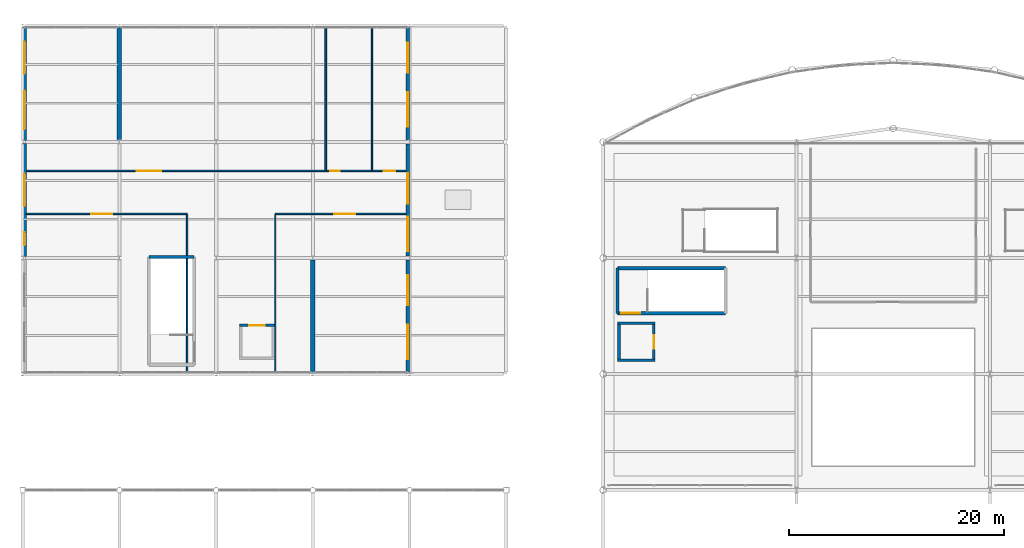
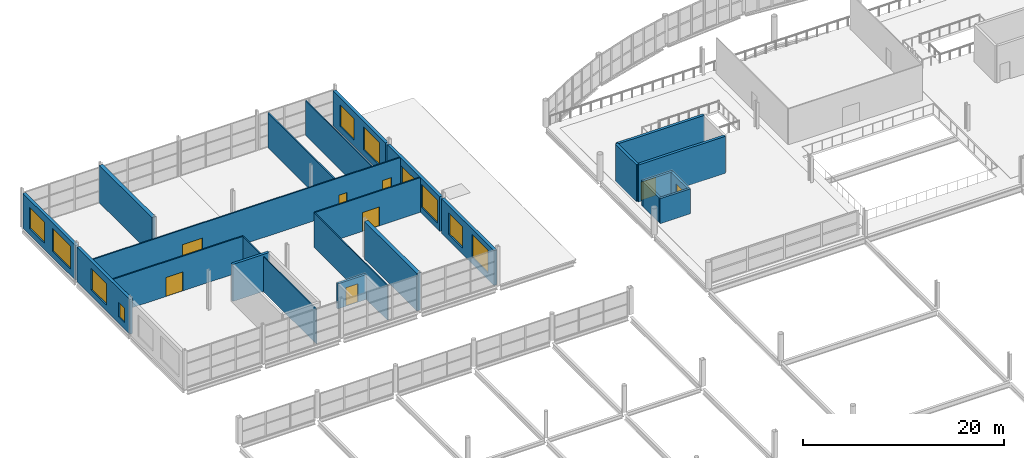
# One storey, part 122 of 134: 23 walls, 10 windows, 8 doors, 18 openings.
"""IFC4 building model written with IfcOpenShell, lengths in metres."""

from ifc_helpers import new_model, si_unit, direction, frame, frame_2d, origin, place, context, subcontext, project, spatial, rectangle, extrude, material, layer, layer_set, type_object, element, fill, save


model = new_model("IFC4")

# Units and contexts
model_context = context("Model", 3, precision=1e-05, world=origin(), true_north=direction((0.0, 1.0)))
body_context = subcontext(model_context, "Body", "Model", "MODEL_VIEW")
ifc_project = project(units=[si_unit("LENGTHUNIT", "METRE"), si_unit("AREAUNIT", "SQUARE_METRE"), si_unit("VOLUMEUNIT", "CUBIC_METRE"), si_unit("PLANEANGLEUNIT", "RADIAN"), si_unit("MASSUNIT", "GRAM", prefix="KILO")], contexts=[model_context])

# Site, building, storey
site_placement = place(None, origin())
site = spatial("IfcSite", under=ifc_project, at=site_placement, CompositionType="ELEMENT")
building_placement = place(site_placement, origin())
building = spatial("IfcBuilding", under=site, at=building_placement, Name="Tamarisk Ironworks Central Station", CompositionType="ELEMENT")
storey_placement = place(building_placement, frame((0.0, 0.0, 12.60009765625)))
storey = spatial("IfcBuildingStorey", under=building, at=storey_placement, Name="L02", CompositionType="ELEMENT", Elevation=12.60009765625)

# Wall, openings, windows
ifc_material_1 = material(Name="Clay facing brickwork and mortar", Category="masonry")
ifc_layer_1 = layer(ifc_material_1, 0.340087890625)
ifc_layer_set_1 = layer_set([ifc_layer_1], Name="Clay facing brickwork and mortar")
wall_type_1 = type_object("IfcWallType", Name="WL-BR340", PredefinedType="STANDARD", material=ifc_layer_set_1)
wall_1_placement = place(storey_placement, frame((35.830078125, 90.14794921875, 0.0), z_axis=(0.0, 0.0, 1.0), x_axis=(0.0, 1.0, 0.0)))
wall_1 = element("IfcWall", 1, at=wall_1_placement, inside=storey, type_object=wall_type_1, Name="L02 brick facade wall 0037", PredefinedType="STANDARD", context=body_context, shape_type="SweptSolid", body=[
    extrude(rectangle(XDim=10.47412109375, YDim=0.340087890625, at=frame_2d((5.237060546875, 0.0))), origin(), (0.0, 0.0, 1.0), 4.219970703125),
])
opening_1_placement = place(wall_1_placement, frame((1.218994140625, 0.0, 0.75)))
opening_1 = element("IfcOpeningElement", 2, at=opening_1_placement, cuts=wall_1, Name="Opening W02", PredefinedType="OPENING", context=body_context, shape_type="SweptSolid", body=[
    extrude(rectangle(XDim=3.199951171875, YDim=2.800048828125, at=frame_2d((1.60009765625, 1.39990234375))), frame((0.0, 0.18212890625, 0.0), z_axis=(0.0, -1.0, 0.0), x_axis=(1.0, 0.0, 0.0)), (0.0, 0.0, 1.0), 0.364013671875),
])
opening_2_placement = place(wall_1_placement, frame((6.256103515625, 0.0, 0.75)))
opening_2 = element("IfcOpeningElement", 3, at=opening_2_placement, cuts=wall_1, Name="Opening W04", PredefinedType="OPENING", context=body_context, shape_type="SweptSolid", body=[
    extrude(rectangle(XDim=2.800048828125, YDim=2.60009765625, at=frame_2d((1.39990234375, 1.300048828125))), frame((0.0, 0.18212890625, 0.0), z_axis=(0.0, -1.0, 0.0), x_axis=(1.0, 0.0, 0.0)), (0.0, 0.0, 1.0), 0.364013671875),
])
ifc_material_2 = material(Name="Laminated solar-control low-E glass", Category="glass")
window_type_1 = type_object("IfcWindowType", Name="WN-02", PartitioningType="SINGLE_PANEL", PredefinedType="WINDOW", material=ifc_material_2)
window_1_placement = place(opening_1_placement, origin())
window_1 = element("IfcWindow", 4, at=window_1_placement, inside=storey, type_object=window_type_1, Name="L02 exterior window 0044", OverallHeight=2.800048828125, OverallWidth=3.199951171875, PartitioningType="DOUBLE_PANEL_VERTICAL", PredefinedType="WINDOW", context=body_context, shape_type="SweptSolid", body=[
    extrude(rectangle(XDim=3.199951171875, YDim=2.800048828125, at=frame_2d((1.60009765625, 1.39990234375))), frame((0.0, 0.030029296875, 0.0), z_axis=(0.0, -1.0, 0.0), x_axis=(1.0, 0.0, 0.0)), (0.0, 0.0, 1.0), 0.06005859375),
])
fill(opening_1, window_1)
window_type_2 = type_object("IfcWindowType", Name="WN-04", PartitioningType="SINGLE_PANEL", PredefinedType="WINDOW", material=ifc_material_2)
window_2_placement = place(opening_2_placement, origin())
window_2 = element("IfcWindow", 5, at=window_2_placement, inside=storey, type_object=window_type_2, Name="L02 exterior window 0045", OverallHeight=2.60009765625, OverallWidth=2.800048828125, PartitioningType="DOUBLE_PANEL_VERTICAL", PredefinedType="WINDOW", context=body_context, shape_type="SweptSolid", body=[
    extrude(rectangle(XDim=2.800048828125, YDim=2.60009765625, at=frame_2d((1.39990234375, 1.300048828125))), frame((0.0, 0.030029296875, 0.0), z_axis=(0.0, -1.0, 0.0), x_axis=(1.0, 0.0, 0.0)), (0.0, 0.0, 1.0), 0.06005859375),
])
fill(opening_2, window_2)

wall_2_placement = place(storey_placement, frame((0.169921875, 100.947998046875, 0.0), z_axis=(0.0, 0.0, 1.0), x_axis=(0.0, 1.0, 0.0)))
wall_2 = element("IfcWall", 6, at=wall_2_placement, inside=storey, type_object=wall_type_1, Name="L02 brick facade wall 0038", PredefinedType="STANDARD", context=body_context, shape_type="SweptSolid", body=[
    extrude(rectangle(XDim=10.50390625, YDim=0.340087890625, at=frame_2d((5.251953125, 0.0))), origin(), (0.0, 0.0, 1.0), 4.219970703125),
])
opening_3_placement = place(wall_2_placement, frame((1.02587890625, 0.0, 0.75)))
opening_3 = element("IfcOpeningElement", 7, at=opening_3_placement, cuts=wall_2, Name="Opening W13", PredefinedType="OPENING", context=body_context, shape_type="SweptSolid", body=[
    extrude(rectangle(XDim=1.199951171875, YDim=1.800048828125, at=frame_2d((0.60009765625, 0.89990234375))), frame((0.0, 0.18212890625, 0.0), z_axis=(0.0, -1.0, 0.0), x_axis=(1.0, 0.0, 0.0)), (0.0, 0.0, 1.0), 0.364013671875),
])
opening_4_placement = place(wall_2_placement, frame((4.677978515625, 0.0, 0.75)))
opening_4 = element("IfcOpeningElement", 8, at=opening_4_placement, cuts=wall_2, Name="Opening W03", PredefinedType="OPENING", context=body_context, shape_type="SweptSolid", body=[
    extrude(rectangle(XDim=3.0, YDim=2.60009765625, at=frame_2d((1.5, 1.300048828125))), frame((0.0, 0.18212890625, 0.0), z_axis=(0.0, -1.0, 0.0), x_axis=(1.0, 0.0, 0.0)), (0.0, 0.0, 1.0), 0.364013671875),
])
window_type_3 = type_object("IfcWindowType", Name="WN-03", PartitioningType="SINGLE_PANEL", PredefinedType="WINDOW", material=ifc_material_2)
window_3_placement = place(opening_4_placement, origin())
window_3 = element("IfcWindow", 9, at=window_3_placement, inside=storey, type_object=window_type_3, Name="L02 exterior window 0047", OverallHeight=2.60009765625, OverallWidth=3.0, PartitioningType="DOUBLE_PANEL_VERTICAL", PredefinedType="WINDOW", context=body_context, shape_type="SweptSolid", body=[
    extrude(rectangle(XDim=3.0, YDim=2.60009765625, at=frame_2d((1.5, 1.300048828125))), frame((0.0, 0.030029296875, 0.0), z_axis=(0.0, -1.0, 0.0), x_axis=(1.0, 0.0, 0.0)), (0.0, 0.0, 1.0), 0.06005859375),
])
fill(opening_4, window_3)
window_type_4 = type_object("IfcWindowType", Name="WN-13", PartitioningType="SINGLE_PANEL", PredefinedType="WINDOW", material=ifc_material_2)
window_4_placement = place(opening_3_placement, origin())
window_4 = element("IfcWindow", 10, at=window_4_placement, inside=storey, type_object=window_type_4, Name="L02 exterior window 0046", OverallHeight=1.800048828125, OverallWidth=1.199951171875, PartitioningType="DOUBLE_PANEL_VERTICAL", PredefinedType="WINDOW", context=body_context, shape_type="SweptSolid", body=[
    extrude(rectangle(XDim=1.199951171875, YDim=1.800048828125, at=frame_2d((0.60009765625, 0.89990234375))), frame((0.0, 0.030029296875, 0.0), z_axis=(0.0, -1.0, 0.0), x_axis=(1.0, 0.0, 0.0)), (0.0, 0.0, 1.0), 0.06005859375),
])
fill(opening_3, window_4)

wall_3_placement = place(storey_placement, frame((35.830078125, 100.97802734375, 0.0), z_axis=(0.0, 0.0, 1.0), x_axis=(0.0, 1.0, 0.0)))
wall_3 = element("IfcWall", 11, at=wall_3_placement, inside=storey, type_object=wall_type_1, Name="L02 brick facade wall 0039", PredefinedType="STANDARD", context=body_context, shape_type="SweptSolid", body=[
    extrude(rectangle(XDim=10.444091796875, YDim=0.340087890625, at=frame_2d((5.22216796875, 0.0))), origin(), (0.0, 0.0, 1.0), 4.219970703125),
])
opening_5_placement = place(wall_3_placement, frame((0.4609375, 0.0, 0.75)))
opening_5 = element("IfcOpeningElement", 12, at=opening_5_placement, cuts=wall_3, Name="Opening W02", PredefinedType="OPENING", context=body_context, shape_type="SweptSolid", body=[
    extrude(rectangle(XDim=3.199951171875, YDim=2.800048828125, at=frame_2d((1.60009765625, 1.39990234375))), frame((0.0, 0.18212890625, 0.0), z_axis=(0.0, -1.0, 0.0), x_axis=(1.0, 0.0, 0.0)), (0.0, 0.0, 1.0), 0.364013671875),
])
opening_6_placement = place(wall_3_placement, frame((4.883056640625, 0.0, 0.75)))
opening_6 = element("IfcOpeningElement", 13, at=opening_6_placement, cuts=wall_3, Name="Opening W04", PredefinedType="OPENING", context=body_context, shape_type="SweptSolid", body=[
    extrude(rectangle(XDim=2.800048828125, YDim=2.60009765625, at=frame_2d((1.39990234375, 1.300048828125))), frame((0.0, 0.18212890625, 0.0), z_axis=(0.0, -1.0, 0.0), x_axis=(1.0, 0.0, 0.0)), (0.0, 0.0, 1.0), 0.364013671875),
])
window_5_placement = place(opening_5_placement, origin())
window_5 = element("IfcWindow", 14, at=window_5_placement, inside=storey, type_object=window_type_1, Name="L02 exterior window 0048", OverallHeight=2.800048828125, OverallWidth=3.199951171875, PartitioningType="DOUBLE_PANEL_VERTICAL", PredefinedType="WINDOW", context=body_context, shape_type="SweptSolid", body=[
    extrude(rectangle(XDim=3.199951171875, YDim=2.800048828125, at=frame_2d((1.60009765625, 1.39990234375))), frame((0.0, 0.030029296875, 0.0), z_axis=(0.0, -1.0, 0.0), x_axis=(1.0, 0.0, 0.0)), (0.0, 0.0, 1.0), 0.06005859375),
])
fill(opening_5, window_5)
window_6_placement = place(opening_6_placement, origin())
window_6 = element("IfcWindow", 15, at=window_6_placement, inside=storey, type_object=window_type_2, Name="L02 exterior window 0049", OverallHeight=2.60009765625, OverallWidth=2.800048828125, PartitioningType="DOUBLE_PANEL_VERTICAL", PredefinedType="WINDOW", context=body_context, shape_type="SweptSolid", body=[
    extrude(rectangle(XDim=2.800048828125, YDim=2.60009765625, at=frame_2d((1.39990234375, 1.300048828125))), frame((0.0, 0.030029296875, 0.0), z_axis=(0.0, -1.0, 0.0), x_axis=(1.0, 0.0, 0.0)), (0.0, 0.0, 1.0), 0.06005859375),
])
fill(opening_6, window_6)

wall_4_placement = place(storey_placement, frame((0.169921875, 111.748046875, 0.0), z_axis=(0.0, 0.0, 1.0), x_axis=(0.0, 1.0, 0.0)))
wall_4 = element("IfcWall", 16, at=wall_4_placement, inside=storey, type_object=wall_type_1, Name="L02 brick facade wall 0040", PredefinedType="STANDARD", context=body_context, shape_type="SweptSolid", body=[
    extrude(rectangle(XDim=10.50390625, YDim=0.340087890625, at=frame_2d((5.251953125, 0.0))), origin(), (0.0, 0.0, 1.0), 4.219970703125),
])
opening_7_placement = place(wall_4_placement, frame((1.02587890625, 0.0, 0.75)))
opening_7 = element("IfcOpeningElement", 17, at=opening_7_placement, cuts=wall_4, Name="Opening W01", PredefinedType="OPENING", context=body_context, shape_type="SweptSolid", body=[
    extrude(rectangle(XDim=3.60009765625, YDim=2.800048828125, at=frame_2d((1.800048828125, 1.39990234375))), frame((0.0, 0.18212890625, 0.0), z_axis=(0.0, -1.0, 0.0), x_axis=(1.0, 0.0, 0.0)), (0.0, 0.0, 1.0), 0.364013671875),
])
opening_8_placement = place(wall_4_placement, frame((6.177978515625, 0.0, 0.75)))
opening_8 = element("IfcOpeningElement", 18, at=opening_8_placement, cuts=wall_4, Name="Opening W03", PredefinedType="OPENING", context=body_context, shape_type="SweptSolid", body=[
    extrude(rectangle(XDim=3.0, YDim=2.60009765625, at=frame_2d((1.5, 1.300048828125))), frame((0.0, 0.18212890625, 0.0), z_axis=(0.0, -1.0, 0.0), x_axis=(1.0, 0.0, 0.0)), (0.0, 0.0, 1.0), 0.364013671875),
])
window_type_5 = type_object("IfcWindowType", Name="WN-01", PartitioningType="SINGLE_PANEL", PredefinedType="WINDOW", material=ifc_material_2)
window_7_placement = place(opening_7_placement, origin())
window_7 = element("IfcWindow", 19, at=window_7_placement, inside=storey, type_object=window_type_5, Name="L02 exterior window 0050", OverallHeight=2.800048828125, OverallWidth=3.60009765625, PartitioningType="DOUBLE_PANEL_VERTICAL", PredefinedType="WINDOW", context=body_context, shape_type="SweptSolid", body=[
    extrude(rectangle(XDim=3.60009765625, YDim=2.800048828125, at=frame_2d((1.800048828125, 1.39990234375))), frame((0.0, 0.030029296875, 0.0), z_axis=(0.0, -1.0, 0.0), x_axis=(1.0, 0.0, 0.0)), (0.0, 0.0, 1.0), 0.06005859375),
])
fill(opening_7, window_7)
window_8_placement = place(opening_8_placement, origin())
window_8 = element("IfcWindow", 20, at=window_8_placement, inside=storey, type_object=window_type_3, Name="L02 exterior window 0051", OverallHeight=2.60009765625, OverallWidth=3.0, PartitioningType="DOUBLE_PANEL_VERTICAL", PredefinedType="WINDOW", context=body_context, shape_type="SweptSolid", body=[
    extrude(rectangle(XDim=3.0, YDim=2.60009765625, at=frame_2d((1.5, 1.300048828125))), frame((0.0, 0.030029296875, 0.0), z_axis=(0.0, -1.0, 0.0), x_axis=(1.0, 0.0, 0.0)), (0.0, 0.0, 1.0), 0.06005859375),
])
fill(opening_8, window_8)

wall_5_placement = place(storey_placement, frame((35.830078125, 111.778076171875, 0.0), z_axis=(0.0, 0.0, 1.0), x_axis=(0.0, 1.0, 0.0)))
wall_5 = element("IfcWall", 21, at=wall_5_placement, inside=storey, type_object=wall_type_1, Name="L02 brick facade wall 0041", PredefinedType="STANDARD", context=body_context, shape_type="SweptSolid", body=[
    extrude(rectangle(XDim=10.473876953125, YDim=0.340087890625, at=frame_2d((5.23681640625, 0.0))), origin(), (0.0, 0.0, 1.0), 4.219970703125),
])
opening_9_placement = place(wall_5_placement, frame((1.218017578125, 0.0, 0.75)))
opening_9 = element("IfcOpeningElement", 22, at=opening_9_placement, cuts=wall_5, Name="Opening W02", PredefinedType="OPENING", context=body_context, shape_type="SweptSolid", body=[
    extrude(rectangle(XDim=3.199951171875, YDim=2.800048828125, at=frame_2d((1.60009765625, 1.39990234375))), frame((0.0, 0.18212890625, 0.0), z_axis=(0.0, -1.0, 0.0), x_axis=(1.0, 0.0, 0.0)), (0.0, 0.0, 1.0), 0.364013671875),
])
opening_10_placement = place(wall_5_placement, frame((6.2548828125, 0.0, 0.75)))
opening_10 = element("IfcOpeningElement", 23, at=opening_10_placement, cuts=wall_5, Name="Opening W04", PredefinedType="OPENING", context=body_context, shape_type="SweptSolid", body=[
    extrude(rectangle(XDim=2.800048828125, YDim=2.60009765625, at=frame_2d((1.39990234375, 1.300048828125))), frame((0.0, 0.18212890625, 0.0), z_axis=(0.0, -1.0, 0.0), x_axis=(1.0, 0.0, 0.0)), (0.0, 0.0, 1.0), 0.364013671875),
])
window_9_placement = place(opening_9_placement, origin())
window_9 = element("IfcWindow", 24, at=window_9_placement, inside=storey, type_object=window_type_1, Name="L02 exterior window 0052", OverallHeight=2.800048828125, OverallWidth=3.199951171875, PartitioningType="DOUBLE_PANEL_VERTICAL", PredefinedType="WINDOW", context=body_context, shape_type="SweptSolid", body=[
    extrude(rectangle(XDim=3.199951171875, YDim=2.800048828125, at=frame_2d((1.60009765625, 1.39990234375))), frame((0.0, 0.030029296875, 0.0), z_axis=(0.0, -1.0, 0.0), x_axis=(1.0, 0.0, 0.0)), (0.0, 0.0, 1.0), 0.06005859375),
])
fill(opening_9, window_9)
window_10_placement = place(opening_10_placement, origin())
window_10 = element("IfcWindow", 25, at=window_10_placement, inside=storey, type_object=window_type_2, Name="L02 exterior window 0053", OverallHeight=2.60009765625, OverallWidth=2.800048828125, PartitioningType="DOUBLE_PANEL_VERTICAL", PredefinedType="WINDOW", context=body_context, shape_type="SweptSolid", body=[
    extrude(rectangle(XDim=2.800048828125, YDim=2.60009765625, at=frame_2d((1.39990234375, 1.300048828125))), frame((0.0, 0.030029296875, 0.0), z_axis=(0.0, -1.0, 0.0), x_axis=(1.0, 0.0, 0.0)), (0.0, 0.0, 1.0), 0.06005859375),
])
fill(opening_10, window_10)

# Wall, opening, door
ifc_material_3 = material(Name="Concrete C50/60", Category="concrete")
ifc_layer_2 = layer(ifc_material_3, 0.300048828125)
ifc_layer_set_2 = layer_set([ifc_layer_2], Name="Concrete C50/60")
wall_type_2 = type_object("IfcWallType", Name="WL-CW300", PredefinedType="SOLIDWALL", material=ifc_layer_set_2)
wall_6_placement = place(storey_placement, frame((55.35498046875, 95.655029296875, 0.0), z_axis=(0.0, 0.0, 1.0), x_axis=(1.0, 0.0, 0.0)))
wall_6 = element("IfcWall", 26, at=wall_6_placement, inside=storey, type_object=wall_type_2, Name="ST-C3 core wall L (L02)", PredefinedType="SOLIDWALL", context=body_context, shape_type="SweptSolid", body=[
    extrude(rectangle(XDim=10.0400390625, YDim=0.300048828125, at=frame_2d((5.02001953125, 0.0))), origin(), (0.0, 0.0, 1.0), 4.5),
])
opening_11_placement = place(wall_6_placement, frame((0.35009765625, 0.0, 0.0048828125)))
opening_11 = element("IfcOpeningElement", 27, at=opening_11_placement, cuts=wall_6, Name="Opening FD03", PredefinedType="OPENING", context=body_context, shape_type="SweptSolid", body=[
    extrude(rectangle(XDim=1.75, YDim=2.199951171875, at=frame_2d((0.875, 1.10009765625))), frame((0.0, 0.162109375, 0.0), z_axis=(0.0, -1.0, 0.0), x_axis=(1.0, 0.0, 0.0)), (0.0, 0.0, 1.0), 0.323974609375),
])
ifc_material_4 = material(Name="Galvanised hollow-metal door steel", Category="steel")
door_type_1 = type_object("IfcDoorType", Name="DR-FD03", OperationType="NOTDEFINED", PredefinedType="DOOR", material=ifc_material_4)
door_1_placement = place(opening_11_placement, origin())
door_1 = element("IfcDoor", 28, at=door_1_placement, inside=storey, type_object=door_type_1, Name="ST-C3 fire stair door (L02)", OperationType="SINGLE_SWING_LEFT", OverallHeight=2.199951171875, OverallWidth=1.75, PredefinedType="DOOR", context=body_context, shape_type="SweptSolid", body=[
    extrude(rectangle(XDim=1.75, YDim=2.199951171875, at=frame_2d((0.875, 1.10009765625))), frame((0.0, 0.02490234375, 0.0), z_axis=(0.0, -1.0, 0.0), x_axis=(1.0, 0.0, 0.0)), (0.0, 0.0, 1.0), 0.050048828125),
])
fill(opening_11, door_1)

# Walls
wall_7_placement = place(storey_placement, frame((55.35498046875, 99.844970703125, 0.0), z_axis=(0.0, 0.0, 1.0), x_axis=(1.0, 0.0, 0.0)))
element("IfcWall", 29, at=wall_7_placement, inside=storey, type_object=wall_type_2, Name="ST-C3 core wall R (L02)", PredefinedType="SOLIDWALL", context=body_context, shape_type="SweptSolid", body=[
    extrude(rectangle(XDim=10.0400390625, YDim=0.300048828125, at=frame_2d((5.02001953125, 0.0))), origin(), (0.0, 0.0, 1.0), 4.5),
])
wall_8_placement = place(storey_placement, frame((55.35498046875, 95.655029296875, 0.0), z_axis=(0.0, 0.0, 1.0), x_axis=(0.0, 1.0, 0.0)))
element("IfcWall", 30, at=wall_8_placement, inside=storey, type_object=wall_type_2, Name="ST-C3 core wall N (L02)", PredefinedType="SOLIDWALL", context=body_context, shape_type="SweptSolid", body=[
    extrude(rectangle(XDim=4.18994140625, YDim=0.300048828125, at=frame_2d((2.094970703125, 0.0))), origin(), (0.0, 0.0, 1.0), 4.5),
])
wall_9_placement = place(storey_placement, frame((15.945068359375, 100.89501953125, 0.0), z_axis=(0.0, 0.0, 1.0), x_axis=(-1.0, 0.0, 0.0)))
element("IfcWall", 31, at=wall_9_placement, inside=storey, type_object=wall_type_2, Name="ST-C6 core wall F (L02)", PredefinedType="SOLIDWALL", context=body_context, shape_type="SweptSolid", body=[
    extrude(rectangle(XDim=4.190185546875, YDim=0.300048828125, at=frame_2d((2.09521484375, 0.0))), origin(), (0.0, 0.0, 1.0), 4.5),
])
ifc_material_5 = material(Name="Gypsum plasterboard acoustic partition")
ifc_layer_3 = layer(ifc_material_5, 0.1201171875)
ifc_layer_set_3 = layer_set([ifc_layer_3], Name="Gypsum plasterboard acoustic partition")
wall_type_3 = type_object("IfcWallType", Name="WL-PT120", PredefinedType="PARTITIONING", material=ifc_layer_set_3)
for number, where, z_axis, x_axis, name in (
    (32, (15.300048828125, 90.238037109375, 0.0), (0.0, 0.0, 1.0), (0.0, 1.0, 0.0), "L02 interior partition 0037"),
    (33, (23.5, 90.238037109375, 0.0), (0.0, 0.0, 1.0), (0.0, 1.0, 0.0), "L02 interior partition 0038"),
):
    element("IfcWall", number, at=place(storey_placement, frame(where, z_axis=z_axis, x_axis=x_axis)), inside=storey, type_object=wall_type_3, Name=name, PredefinedType="PARTITIONING", context=body_context, shape_type="SweptSolid", body=[
        extrude(rectangle(XDim=14.5888671875, YDim=0.1201171875, at=frame_2d((7.29443359375, 0.0))), origin(), (0.0, 0.0, 1.0), 4.219970703125),
    ])
wall_10_placement = place(storey_placement, frame((32.5, 108.972900390625, 0.0), z_axis=(0.0, 0.0, 1.0), x_axis=(0.0, 1.0, 0.0)))
element("IfcWall", 34, at=wall_10_placement, inside=storey, type_object=wall_type_3, Name="L02 interior partition 0040", PredefinedType="PARTITIONING", context=body_context, shape_type="SweptSolid", body=[
    extrude(rectangle(XDim=13.189208984375, YDim=0.1201171875, at=frame_2d((6.5947265625, 0.0))), origin(), (0.0, 0.0, 1.0), 4.219970703125),
])

# Wall, opening, door
ifc_layer_4 = layer(ifc_material_5, 0.14990234375)
ifc_layer_set_4 = layer_set([ifc_layer_4], Name="Gypsum plasterboard acoustic partition")
wall_type_4 = type_object("IfcWallType", Name="WL-PT150", PredefinedType="PARTITIONING", material=ifc_layer_set_4)
wall_11_placement = place(storey_placement, frame((0.337890625, 104.89990234375, 0.0), z_axis=(0.0, 0.0, 1.0), x_axis=(1.0, 0.0, 0.0)))
wall_11 = element("IfcWall", 35, at=wall_11_placement, inside=storey, type_object=wall_type_4, Name="L02 interior partition 0034", PredefinedType="PARTITIONING", context=body_context, shape_type="SweptSolid", body=[
    extrude(rectangle(XDim=14.962158203125, YDim=0.14990234375, at=frame_2d((7.48095703125, 0.0))), origin(), (0.0, 0.0, 1.0), 4.219970703125),
])
opening_12_placement = place(wall_11_placement, frame((6.06201171875, 0.0, 0.0048828125)))
opening_12 = element("IfcOpeningElement", 36, at=opening_12_placement, cuts=wall_11, Name="Opening D02", PredefinedType="OPENING", context=body_context, shape_type="SweptSolid", body=[
    extrude(rectangle(XDim=1.949951171875, YDim=2.300048828125, at=frame_2d((0.97509765625, 1.14990234375))), frame((0.0, 0.0869140625, 0.0), z_axis=(0.0, -1.0, 0.0), x_axis=(1.0, 0.0, 0.0)), (0.0, 0.0, 1.0), 0.173828125),
])
ifc_material_6 = material(Name="Anodized aluminium alloy 6063-T6", Category="aluminium")
door_type_2 = type_object("IfcDoorType", Name="DR-ID02", OperationType="NOTDEFINED", PredefinedType="DOOR", material=ifc_material_6)
door_2_placement = place(opening_12_placement, origin())
door_2 = element("IfcDoor", 37, at=door_2_placement, inside=storey, type_object=door_type_2, Name="L02 room door 0027", OperationType="DOUBLE_DOOR_SINGLE_SWING", OverallHeight=2.300048828125, OverallWidth=1.949951171875, PredefinedType="DOOR", context=body_context, shape_type="SweptSolid", body=[
    extrude(rectangle(XDim=1.949951171875, YDim=2.300048828125, at=frame_2d((0.97509765625, 1.14990234375))), frame((0.0, 0.02490234375, 0.0), z_axis=(0.0, -1.0, 0.0), x_axis=(1.0, 0.0, 0.0)), (0.0, 0.0, 1.0), 0.050048828125),
])
fill(opening_12, door_2)

wall_12_placement = place(storey_placement, frame((23.5, 104.89990234375, 0.0), z_axis=(0.0, 0.0, 1.0), x_axis=(1.0, 0.0, 0.0)))
wall_12 = element("IfcWall", 38, at=wall_12_placement, inside=storey, type_object=wall_type_4, Name="L02 interior partition 0035", PredefinedType="PARTITIONING", context=body_context, shape_type="SweptSolid", body=[
    extrude(rectangle(XDim=12.162109375, YDim=0.14990234375, at=frame_2d((6.0810546875, 0.0))), origin(), (0.0, 0.0, 1.0), 4.219970703125),
])
opening_13_placement = place(wall_12_placement, frame((5.5, 0.0, 0.0048828125)))
opening_13 = element("IfcOpeningElement", 39, at=opening_13_placement, cuts=wall_12, Name="Opening D02", PredefinedType="OPENING", context=body_context, shape_type="SweptSolid", body=[
    extrude(rectangle(XDim=1.949951171875, YDim=2.300048828125, at=frame_2d((0.97509765625, 1.14990234375))), frame((0.0, 0.0869140625, 0.0), z_axis=(0.0, -1.0, 0.0), x_axis=(1.0, 0.0, 0.0)), (0.0, 0.0, 1.0), 0.173828125),
])
door_3_placement = place(opening_13_placement, origin())
door_3 = element("IfcDoor", 40, at=door_3_placement, inside=storey, type_object=door_type_2, Name="L02 room door 0028", OperationType="DOUBLE_DOOR_SINGLE_SWING", OverallHeight=2.300048828125, OverallWidth=1.949951171875, PredefinedType="DOOR", context=body_context, shape_type="SweptSolid", body=[
    extrude(rectangle(XDim=1.949951171875, YDim=2.300048828125, at=frame_2d((0.97509765625, 1.14990234375))), frame((0.0, 0.02490234375, 0.0), z_axis=(0.0, -1.0, 0.0), x_axis=(1.0, 0.0, 0.0)), (0.0, 0.0, 1.0), 0.050048828125),
])
fill(opening_13, door_3)

# Wall, openings, doors
wall_13_placement = place(storey_placement, frame((0.337890625, 108.89990234375, 0.0), z_axis=(0.0, 0.0, 1.0), x_axis=(1.0, 0.0, 0.0)))
wall_13 = element("IfcWall", 41, at=wall_13_placement, inside=storey, type_object=wall_type_4, Name="L02 interior partition 0036", PredefinedType="PARTITIONING", context=body_context, shape_type="SweptSolid", body=[
    extrude(rectangle(XDim=35.32421875, YDim=0.14990234375, at=frame_2d((17.662109375, 0.0))), origin(), (0.0, 0.0, 1.0), 4.219970703125),
])
opening_14_placement = place(wall_13_placement, frame((10.261962890625, 0.0, 0.0048828125)))
opening_14 = element("IfcOpeningElement", 42, at=opening_14_placement, cuts=wall_13, Name="Opening D01", PredefinedType="OPENING", context=body_context, shape_type="SweptSolid", body=[
    extrude(rectangle(XDim=2.300048828125, YDim=2.39990234375, at=frame_2d((1.14990234375, 1.199951171875))), frame((0.0, 0.0869140625, 0.0), z_axis=(0.0, -1.0, 0.0), x_axis=(1.0, 0.0, 0.0)), (0.0, 0.0, 1.0), 0.173828125),
])
opening_15_placement = place(wall_13_placement, frame((28.261962890625, 0.0, 0.0048828125)))
opening_15 = element("IfcOpeningElement", 43, at=opening_15_placement, cuts=wall_13, Name="Opening WC01", PredefinedType="OPENING", context=body_context, shape_type="SweptSolid", body=[
    extrude(rectangle(XDim=0.919921875, YDim=2.1201171875, at=frame_2d((0.4599609375, 1.06005859375))), frame((0.0, 0.0869140625, 0.0), z_axis=(0.0, -1.0, 0.0), x_axis=(1.0, 0.0, 0.0)), (0.0, 0.0, 1.0), 0.173828125),
])
opening_16_placement = place(wall_13_placement, frame((33.261962890625, 0.0, 0.0048828125)))
opening_16 = element("IfcOpeningElement", 44, at=opening_16_placement, cuts=wall_13, Name="Opening WC02", PredefinedType="OPENING", context=body_context, shape_type="SweptSolid", body=[
    extrude(rectangle(XDim=1.050048828125, YDim=2.14990234375, at=frame_2d((0.52490234375, 1.074951171875))), frame((0.0, 0.0869140625, 0.0), z_axis=(0.0, -1.0, 0.0), x_axis=(1.0, 0.0, 0.0)), (0.0, 0.0, 1.0), 0.173828125),
])
door_type_3 = type_object("IfcDoorType", Name="DR-ID01", OperationType="NOTDEFINED", PredefinedType="DOOR", material=ifc_material_6)
door_4_placement = place(opening_14_placement, origin())
door_4 = element("IfcDoor", 45, at=door_4_placement, inside=storey, type_object=door_type_3, Name="L02 room door 0029", OperationType="DOUBLE_DOOR_SINGLE_SWING", OverallHeight=2.39990234375, OverallWidth=2.300048828125, PredefinedType="DOOR", context=body_context, shape_type="SweptSolid", body=[
    extrude(rectangle(XDim=2.300048828125, YDim=2.39990234375, at=frame_2d((1.14990234375, 1.199951171875))), frame((0.0, 0.02490234375, 0.0), z_axis=(0.0, -1.0, 0.0), x_axis=(1.0, 0.0, 0.0)), (0.0, 0.0, 1.0), 0.050048828125),
])
fill(opening_14, door_4)
ifc_material_7 = material(Name="FSC certified tropical hardwood timber", Category="wood")
door_type_4 = type_object("IfcDoorType", Name="DR-WC01", OperationType="NOTDEFINED", PredefinedType="DOOR", material=ifc_material_7)
door_5_placement = place(opening_15_placement, origin())
door_5 = element("IfcDoor", 46, at=door_5_placement, inside=storey, type_object=door_type_4, Name="L02 room door 0030", OperationType="SINGLE_SWING_LEFT", OverallHeight=2.1201171875, OverallWidth=0.919921875, PredefinedType="DOOR", context=body_context, shape_type="SweptSolid", body=[
    extrude(rectangle(XDim=0.919921875, YDim=2.1201171875, at=frame_2d((0.4599609375, 1.06005859375))), frame((0.0, 0.02490234375, 0.0), z_axis=(0.0, -1.0, 0.0), x_axis=(1.0, 0.0, 0.0)), (0.0, 0.0, 1.0), 0.050048828125),
])
fill(opening_15, door_5)
door_type_5 = type_object("IfcDoorType", Name="DR-WC02", OperationType="NOTDEFINED", PredefinedType="DOOR", material=ifc_material_7)
door_6_placement = place(opening_16_placement, origin())
door_6 = element("IfcDoor", 47, at=door_6_placement, inside=storey, type_object=door_type_5, Name="L02 room door 0031", OperationType="SINGLE_SWING_RIGHT", OverallHeight=2.14990234375, OverallWidth=1.050048828125, PredefinedType="DOOR", context=body_context, shape_type="SweptSolid", body=[
    extrude(rectangle(XDim=1.050048828125, YDim=2.14990234375, at=frame_2d((0.52490234375, 1.074951171875))), frame((0.0, 0.02490234375, 0.0), z_axis=(0.0, -1.0, 0.0), x_axis=(1.0, 0.0, 0.0)), (0.0, 0.0, 1.0), 0.050048828125),
])
fill(opening_16, door_6)

# Walls
wall_14_placement = place(storey_placement, frame((28.199951171875, 108.972900390625, 0.0), z_axis=(0.0, 0.0, 1.0), x_axis=(0.0, 1.0, 0.0)))
element("IfcWall", 48, at=wall_14_placement, inside=storey, type_object=wall_type_4, Name="L02 interior partition 0039", PredefinedType="PARTITIONING", context=body_context, shape_type="SweptSolid", body=[
    extrude(rectangle(XDim=13.189208984375, YDim=0.14990234375, at=frame_2d((6.5947265625, 0.0))), origin(), (0.0, 0.0, 1.0), 4.219970703125),
])
ifc_layer_5 = layer(ifc_material_3, 0.25)
ifc_layer_set_5 = layer_set([ifc_layer_5], Name="Concrete C50/60")
wall_type_5 = type_object("IfcWallType", Name="WL-SH250", PredefinedType="SOLIDWALL", material=ifc_layer_set_5)
for number, where, z_axis, x_axis, name in (
    (49, (55.35009765625, 91.27490234375, 0.0), (0.0, 0.0, 1.0), (1.0, 0.0, 0.0), "LF-C1 lift shaft wall S (L02)"),
    (50, (55.35009765625, 94.72509765625, 0.0), (0.0, 0.0, 1.0), (1.0, 0.0, 0.0), "LF-C1 lift shaft wall N (L02)"),
):
    element("IfcWall", number, at=place(storey_placement, frame(where, z_axis=z_axis, x_axis=x_axis)), inside=storey, type_object=wall_type_5, Name=name, PredefinedType="SOLIDWALL", context=body_context, shape_type="SweptSolid", body=[
        extrude(rectangle(XDim=3.5, YDim=0.25, at=frame_2d((1.75, 0.0))), origin(), (0.0, 0.0, 1.0), 3.0498046875),
    ])
wall_15_placement = place(storey_placement, frame((55.47509765625, 91.39990234375, 0.0), z_axis=(0.0, 0.0, 1.0), x_axis=(0.0, 1.0, 0.0)))
element("IfcWall", 51, at=wall_15_placement, inside=storey, type_object=wall_type_5, Name="LF-C1 lift shaft wall W (L02)", PredefinedType="SOLIDWALL", context=body_context, shape_type="SweptSolid", body=[
    extrude(rectangle(XDim=3.2001953125, YDim=0.25, at=frame_2d((1.60009765625, 0.0))), origin(), (0.0, 0.0, 1.0), 3.0498046875),
])

# Wall, opening, door
wall_16_placement = place(storey_placement, frame((58.72509765625, 91.39990234375, 0.0), z_axis=(0.0, 0.0, 1.0), x_axis=(0.0, 1.0, 0.0)))
wall_16 = element("IfcWall", 52, at=wall_16_placement, inside=storey, type_object=wall_type_5, Name="LF-C1 lift shaft wall E (L02)", PredefinedType="SOLIDWALL", context=body_context, shape_type="SweptSolid", body=[
    extrude(rectangle(XDim=3.2001953125, YDim=0.25, at=frame_2d((1.60009765625, 0.0))), origin(), (0.0, 0.0, 1.0), 3.0498046875),
])
opening_17_placement = place(wall_16_placement, frame((0.97509765625, 0.0, 0.0048828125)))
opening_17 = element("IfcOpeningElement", 53, at=opening_17_placement, cuts=wall_16, Name="Opening LD02", PredefinedType="OPENING", context=body_context, shape_type="SweptSolid", body=[
    extrude(rectangle(XDim=1.25, YDim=2.199951171875, at=frame_2d((0.625, 1.10009765625))), frame((0.0, 0.136962890625, 0.0), z_axis=(0.0, -1.0, 0.0), x_axis=(1.0, 0.0, 0.0)), (0.0, 0.0, 1.0), 0.27392578125),
])
ifc_material_8 = material(Name="Brushed stainless steel AISI 316", Category="steel")
door_type_6 = type_object("IfcDoorType", Name="DR-LD02", OperationType="NOTDEFINED", PredefinedType="DOOR", material=ifc_material_8)
door_7_placement = place(opening_17_placement, origin())
door_7 = element("IfcDoor", 54, at=door_7_placement, inside=storey, type_object=door_type_6, Name="LF-C1 sliding lift landing door (L02)", OperationType="SLIDING_TO_LEFT", OverallHeight=2.199951171875, OverallWidth=1.25, PredefinedType="DOOR", context=body_context, shape_type="SweptSolid", body=[
    extrude(rectangle(XDim=1.25, YDim=2.199951171875, at=frame_2d((0.625, 1.10009765625))), frame((0.0, 0.02490234375, 0.0), z_axis=(0.0, -1.0, 0.0), x_axis=(1.0, 0.0, 0.0)), (0.0, 0.0, 1.0), 0.050048828125),
])
fill(opening_17, door_7)

wall_17_placement = place(storey_placement, frame((20.14990234375, 94.52490234375, 0.0), z_axis=(0.0, 0.0, 1.0), x_axis=(1.0, 0.0, 0.0)))
wall_17 = element("IfcWall", 55, at=wall_17_placement, inside=storey, type_object=wall_type_5, Name="LF-V1 lift shaft wall N (L02)", PredefinedType="SOLIDWALL", context=body_context, shape_type="SweptSolid", body=[
    extrude(rectangle(XDim=3.300048828125, YDim=0.25, at=frame_2d((1.64990234375, 0.0))), origin(), (0.0, 0.0, 1.0), 3.0498046875),
])
opening_18_placement = place(wall_17_placement, frame((0.949951171875, 0.0, 0.0048828125)))
opening_18 = element("IfcOpeningElement", 56, at=opening_18_placement, cuts=wall_17, Name="Opening LD01", PredefinedType="OPENING", context=body_context, shape_type="SweptSolid", body=[
    extrude(rectangle(XDim=1.39990234375, YDim=2.25, at=frame_2d((0.699951171875, 1.125))), frame((0.0, 0.136962890625, 0.0), z_axis=(0.0, -1.0, 0.0), x_axis=(1.0, 0.0, 0.0)), (0.0, 0.0, 1.0), 0.27392578125),
])
door_type_7 = type_object("IfcDoorType", Name="DR-LD01", OperationType="NOTDEFINED", PredefinedType="DOOR", material=ifc_material_8)
door_8_placement = place(opening_18_placement, origin())
door_8 = element("IfcDoor", 57, at=door_8_placement, inside=storey, type_object=door_type_7, Name="LF-V1 sliding lift landing door (L02)", OperationType="SLIDING_TO_LEFT", OverallHeight=2.25, OverallWidth=1.39990234375, PredefinedType="DOOR", context=body_context, shape_type="SweptSolid", body=[
    extrude(rectangle(XDim=1.39990234375, YDim=2.25, at=frame_2d((0.699951171875, 1.125))), frame((0.0, 0.02490234375, 0.0), z_axis=(0.0, -1.0, 0.0), x_axis=(1.0, 0.0, 0.0)), (0.0, 0.0, 1.0), 0.050048828125),
])
fill(opening_18, door_8)

# Walls
ifc_layer_6 = layer(ifc_material_3, 0.419921875)
ifc_layer_set_6 = layer_set([ifc_layer_6], Name="Concrete C50/60")
wall_type_6 = type_object("IfcWallType", Name="WL-SW420", PredefinedType="SHEAR", material=ifc_layer_set_6)
wall_18_placement = place(storey_placement, frame((27.0, 90.14794921875, 0.0), z_axis=(0.0, 0.0, 1.0), x_axis=(0.0, 1.0, 0.0)))
element("IfcWall", 58, at=wall_18_placement, inside=storey, type_object=wall_type_6, Name="L02 pavilion shear wall 11", PredefinedType="SHEAR", context=body_context, shape_type="SweptSolid", body=[
    extrude(rectangle(XDim=10.47412109375, YDim=0.419921875, at=frame_2d((5.237060546875, 0.0))), origin(), (0.0, 0.0, 1.0), 4.5498046875),
])
wall_19_placement = place(storey_placement, frame((9.0, 111.778076171875, 0.0), z_axis=(0.0, 0.0, 1.0), x_axis=(0.0, 1.0, 0.0)))
element("IfcWall", 59, at=wall_19_placement, inside=storey, type_object=wall_type_6, Name="L02 pavilion shear wall 12", PredefinedType="SHEAR", context=body_context, shape_type="SweptSolid", body=[
    extrude(rectangle(XDim=10.473876953125, YDim=0.419921875, at=frame_2d((5.23681640625, 0.0))), origin(), (0.0, 0.0, 1.0), 4.5498046875),
])

save(model, "model.ifc")
